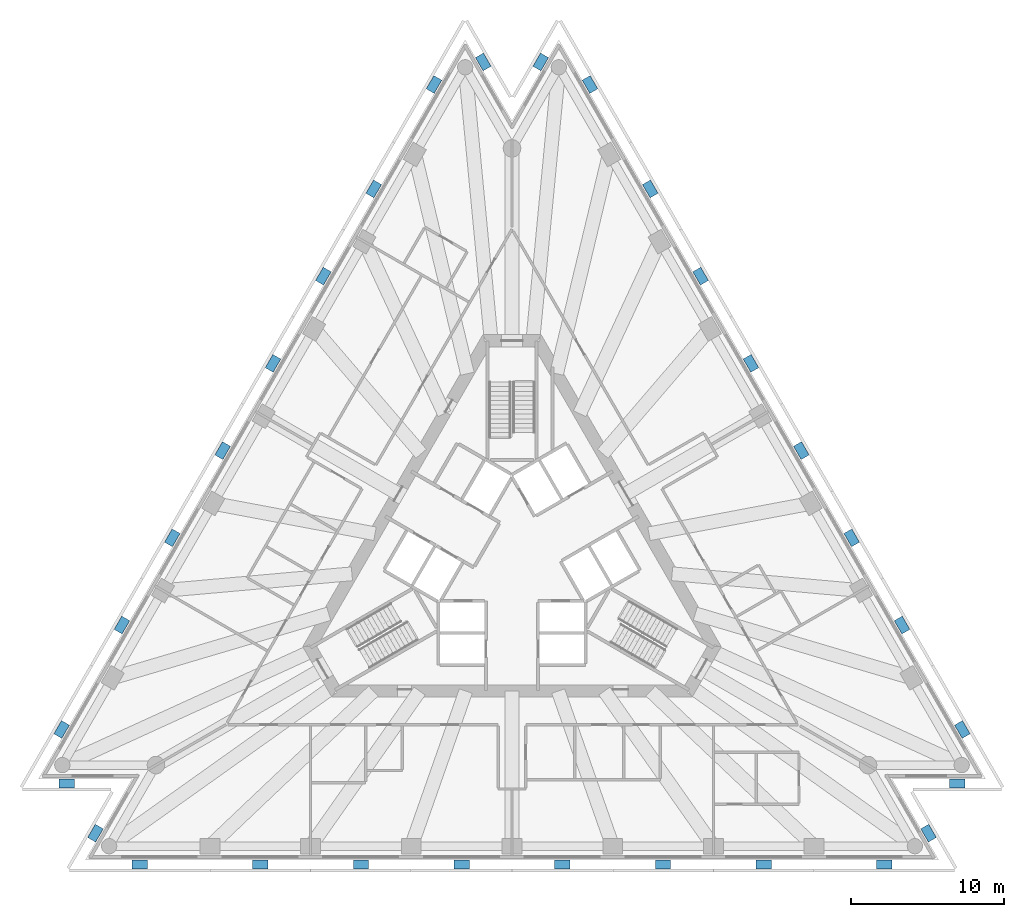
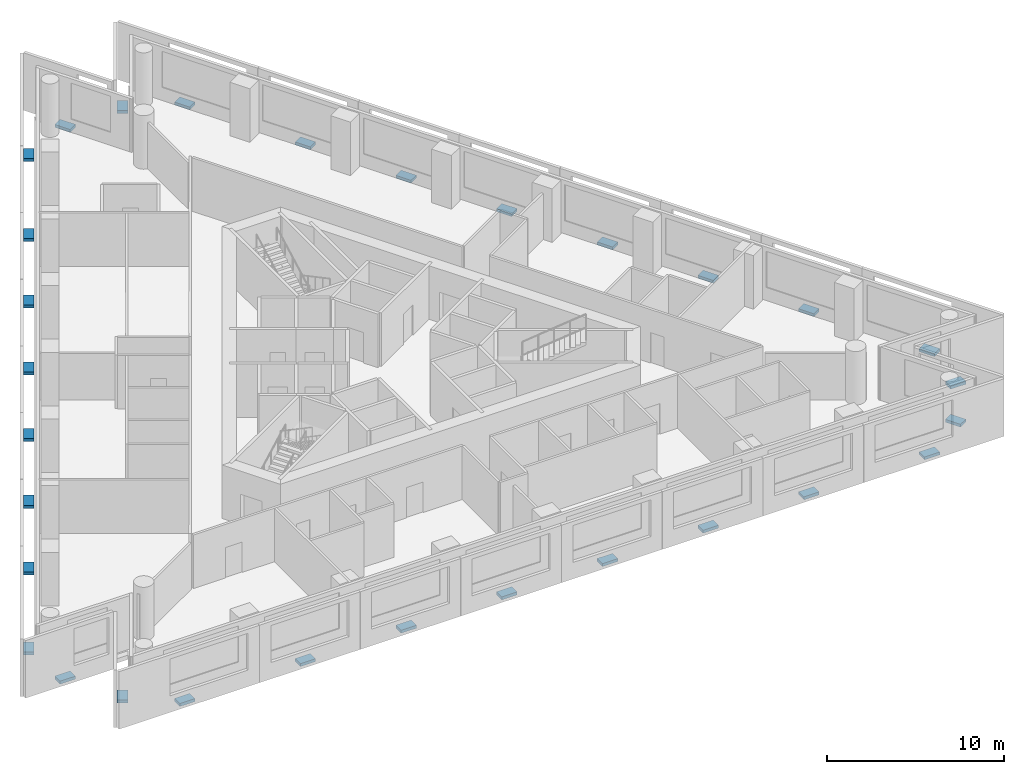
# One storey, part 8 of 10: 30 discrete accessories.
"""IFC4 building model written with IfcOpenShell, lengths in metres."""

from ifc_helpers import new_model, si_unit, direction, frame, origin, origin_2d, place, context, subcontext, project, spatial, rectangle, extrude, material, type_object, element, save


model = new_model("IFC4")

# Units and contexts
model_context = context("Model", 3, precision=1e-05, world=origin(), true_north=direction((0.0, 1.0)))
body_context = subcontext(model_context, "Body", "Model", "MODEL_VIEW")
ifc_project = project(units=[si_unit("LENGTHUNIT", "METRE"), si_unit("AREAUNIT", "SQUARE_METRE"), si_unit("VOLUMEUNIT", "CUBIC_METRE"), si_unit("PLANEANGLEUNIT", "RADIAN"), si_unit("MASSUNIT", "GRAM", prefix="KILO")], contexts=[model_context])

# Site, building, storey
site_placement = place(None, origin())
site = spatial("IfcSite", under=ifc_project, at=site_placement, CompositionType="ELEMENT")
building_placement = place(site_placement, origin())
building = spatial("IfcBuilding", under=site, at=building_placement, Name="Triada Interchange Tower", CompositionType="ELEMENT")
storey_placement = place(building_placement, frame((0.0, 0.0, 156.300048828125)))
storey = spatial("IfcBuildingStorey", under=building, at=storey_placement, Name="L36", CompositionType="ELEMENT", Elevation=156.300048828125)

# Discrete accessories
ifc_material = material(Name="Steel S355", Category="steel")
discrete_accessory_type = type_object("IfcDiscreteAccessoryType", Name="Steel bracket outer skin", PredefinedType="BRACKET", material=ifc_material)
for number, where, z_axis, x_axis, name in (
    (1, (-5.09912109375, 31.06103515625, -0.27001953125), (0.0, 0.0, 1.0), (-0.866035788307, 0.499982013048, 0.0), "Bracket L36 01"),
    (2, (-9.0419921875, 24.23193359375, -0.27001953125), (0.0, 0.0, 1.0), (-0.866035788307, 0.499982013048, 0.0), "Bracket L36 02"),
    (3, (-12.333984375, 18.529052734375, -0.27001953125), (0.0, 0.0, 1.0), (-0.866035788307, 0.499982013048, 0.0), "Bracket L36 03"),
    (4, (-15.626953125, 12.824951171875, -0.27001953125), (0.0, 0.0, 1.0), (-0.866035788307, 0.499982013048, 0.0), "Bracket L36 04"),
    (5, (-18.919921875, 7.12109375, -0.27001953125), (0.0, 0.0, 1.0), (-0.866035788307, 0.499982013048, 0.0), "Bracket L36 05"),
    (6, (-22.212890625, 1.4169921875, -0.27001953125), (0.0, 0.0, 1.0), (-0.866035788307, 0.499982013048, 0.0), "Bracket L36 06"),
    (7, (-25.506103515625, -4.285888671875, -0.27001953125), (0.0, 0.0, 1.0), (-0.866035788307, 0.499982013048, 0.0), "Bracket L36 07"),
    (8, (-29.447998046875, -11.114990234375, -0.27001953125), (0.0, 0.0, 1.0), (-0.866035788307, 0.499982013048, 0.0), "Bracket L36 08"),
    (9, (-29.114990234375, -14.64208984375, -0.27001953125), (0.0, 0.0, 1.0), (0.0, -1.0, 0.0), "Bracket L36 09"),
    (10, (-27.238037109375, -17.89404296875, -0.27001953125), (0.0, 0.0, 1.0), (-0.865973493026, 0.500089901294, 0.0), "Bracket L36 10"),
    (11, (-24.35009765625, -19.946044921875, -0.27001953125), (0.0, 0.0, 1.0), (0.0, -1.0, 0.0), "Bracket L36 11"),
    (12, (-16.465087890625, -19.946044921875, -0.27001953125), (0.0, 0.0, 1.0), (0.0, -1.0, 0.0), "Bracket L36 12"),
    (13, (-9.87890625, -19.946044921875, -0.27001953125), (0.0, 0.0, 1.0), (0.0, -1.0, 0.0), "Bracket L36 13"),
    (14, (-3.29296875, -19.946044921875, -0.27001953125), (0.0, 0.0, 1.0), (0.0, -1.0, 0.0), "Bracket L36 14"),
    (15, (3.29296875, -19.946044921875, -0.27001953125), (0.0, 0.0, 1.0), (0.0, -1.0, 0.0), "Bracket L36 15"),
    (16, (9.87890625, -19.946044921875, -0.27001953125), (0.0, 0.0, 1.0), (0.0, -1.0, 0.0), "Bracket L36 16"),
    (17, (16.465087890625, -19.946044921875, -0.27001953125), (0.0, 0.0, 1.0), (0.0, -1.0, 0.0), "Bracket L36 17"),
    (18, (24.35009765625, -19.946044921875, -0.27001953125), (0.0, 0.0, 1.0), (0.0, -1.0, 0.0), "Bracket L36 18"),
    (19, (27.238037109375, -17.89404296875, -0.27001953125), (0.0, 0.0, 1.0), (0.865973493026, 0.500089901294, 0.0), "Bracket L36 19"),
    (20, (29.114990234375, -14.64208984375, -0.27001953125), (0.0, 0.0, 1.0), (0.0, -1.0, 0.0), "Bracket L36 20"),
    (21, (29.447998046875, -11.114990234375, -0.27001953125), (0.0, 0.0, 1.0), (0.866035788307, 0.499982013048, 0.0), "Bracket L36 21"),
    (22, (25.506103515625, -4.285888671875, -0.27001953125), (0.0, 0.0, 1.0), (0.866035788307, 0.499982013048, 0.0), "Bracket L36 22"),
    (23, (22.212890625, 1.4169921875, -0.27001953125), (0.0, 0.0, 1.0), (0.866035788307, 0.499982013048, 0.0), "Bracket L36 23"),
    (24, (18.919921875, 7.12109375, -0.27001953125), (0.0, 0.0, 1.0), (0.866035788307, 0.499982013048, 0.0), "Bracket L36 24"),
    (25, (15.626953125, 12.824951171875, -0.27001953125), (0.0, 0.0, 1.0), (0.866035788307, 0.499982013048, 0.0), "Bracket L36 25"),
    (26, (12.333984375, 18.529052734375, -0.27001953125), (0.0, 0.0, 1.0), (0.866035788307, 0.499982013048, 0.0), "Bracket L36 26"),
    (27, (9.0419921875, 24.23193359375, -0.27001953125), (0.0, 0.0, 1.0), (0.866035788307, 0.499982013048, 0.0), "Bracket L36 27"),
    (28, (5.09912109375, 31.06103515625, -0.27001953125), (0.0, 0.0, 1.0), (0.866035788307, 0.499982013048, 0.0), "Bracket L36 28"),
    (29, (1.8779296875, 32.534912109375, -0.27001953125), (0.0, 0.0, 1.0), (-0.866014320731, 0.50001919592, 0.0), "Bracket L36 29"),
    (30, (-1.8779296875, 32.534912109375, -0.27001953125), (0.0, 0.0, 1.0), (0.866014320731, 0.50001919592, 0.0), "Bracket L36 30"),
):
    element("IfcDiscreteAccessory", number, at=place(storey_placement, frame(where, z_axis=z_axis, x_axis=x_axis)), inside=storey, type_object=discrete_accessory_type, Name=name, PredefinedType="BRACKET", context=body_context, shape_type="SweptSolid", body=[
        extrude(rectangle(XDim=0.60009765625, YDim=1.0, at=origin_2d()), origin(), (0.0, 0.0, 1.0), 0.199951171875),
    ])

save(model, "model.ifc")
